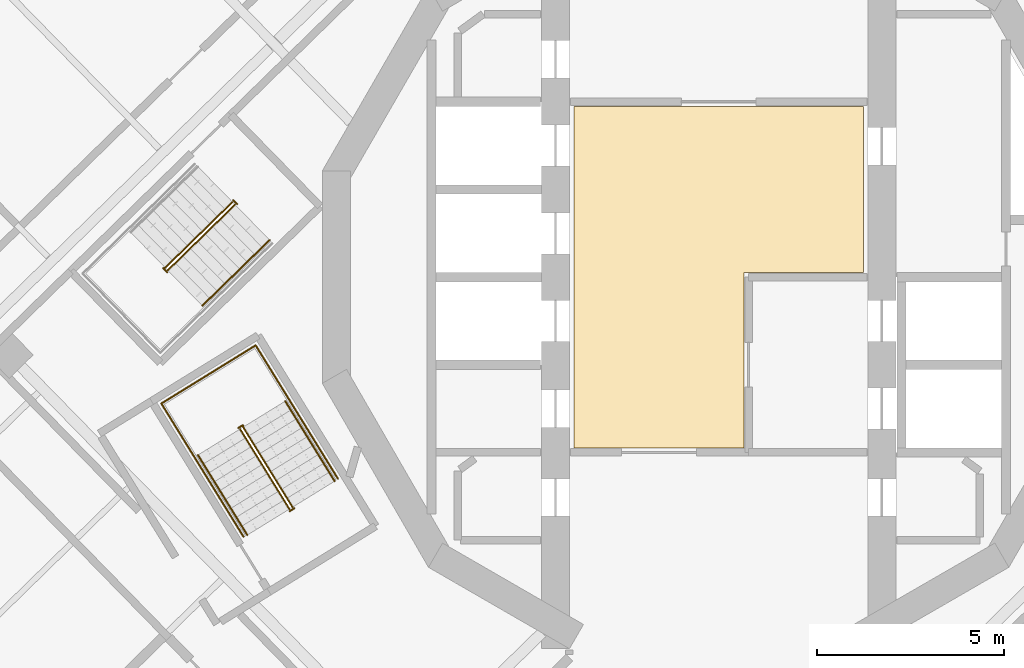
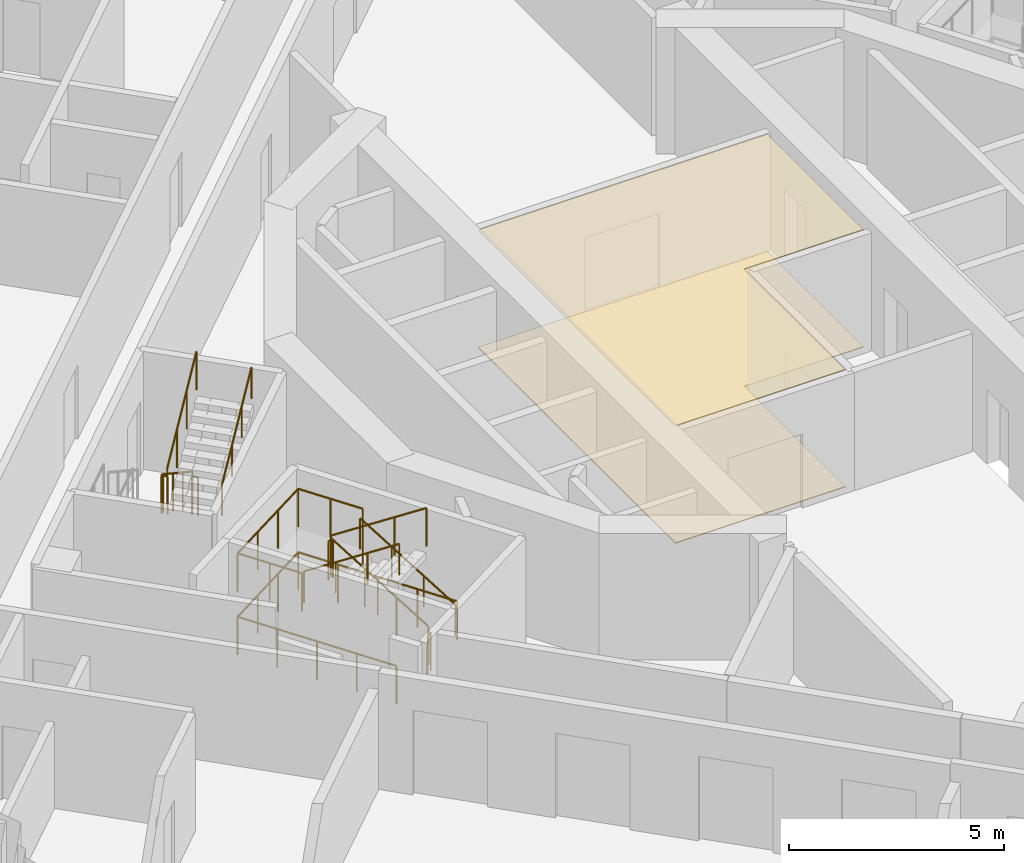
# One storey, part 13 of 17: 11 railings, 2 coverings.
"""IFC4 building model written with IfcOpenShell, lengths in metres."""

import ifcopenshell
import ifcopenshell.guid

model = None  # the IFC model being written
_history = None  # IfcOwnerHistory: only IFC2X3 demands one
_inside = {}  # id of a spatial element -> (the spatial element, [elements in it])
_under = {}  # id of a project, library or spatial element -> (it, [spatial elements below it])
_declared = {}  # id of a project -> (the project, [libraries it declares])
_typed = {}  # id of a type object -> (the type object, [elements of that type])
_made_of = {}  # id of a material, layer set ... -> (it, [elements and type objects made of it])


def new_model(schema):
    """Start an empty IFC model of exactly this schema.

    Asked for "IFC4X3", IfcOpenShell would pick the latest addendum, in which some entities
    have other attributes; the version numbers below select the first issue.
    IFC2X3 requires an IfcOwnerHistory on every rooted entity: one is made here for all.
    """
    global model, _history
    if schema == "IFC4X3":
        model = ifcopenshell.file(schema_version=(4, 3, 0, 0))
    else:
        model = ifcopenshell.file(schema=schema)
    _inside.clear()
    _under.clear()
    _declared.clear()
    _typed.clear()
    _made_of.clear()
    _history = None
    if model.schema == "IFC2X3":
        org = make("IfcOrganization", Name="unknown")
        user = make(
            "IfcPersonAndOrganization",
            ThePerson=make("IfcPerson", FamilyName="unknown"),
            TheOrganization=org,
        )
        app = make(
            "IfcApplication",
            ApplicationDeveloper=org,
            Version="unknown",
            ApplicationFullName="unknown",
            ApplicationIdentifier="unknown",
        )
        _history = make(
            "IfcOwnerHistory",
            OwningUser=user,
            OwningApplication=app,
            ChangeAction="ADDED",
            CreationDate=0,
        )
    return model


def make(cls, **values):
    """One entity of the class cls with the attributes given. An attribute that is None is left unset."""
    return model.create_entity(
        cls, **{name: value for name, value in values.items() if value is not None}
    )


def rooted(cls, **values):
    """An entity with a GlobalId (a new one), such as an element, a storey or a relation."""
    return make(cls, GlobalId=ifcopenshell.guid.new(), OwnerHistory=_history, **values)


def si_unit(unit_type, name, prefix=None):
    """IfcSIUnit, for example si_unit("LENGTHUNIT", "METRE", prefix="MILLI")."""
    return make("IfcSIUnit", UnitType=unit_type, Prefix=prefix, Name=name)


def assignment(units):
    """IfcUnitAssignment: the units of a project."""
    return None if units is None else make("IfcUnitAssignment", Units=units)


def point(xyz):
    """IfcCartesianPoint."""
    return None if xyz is None else make("IfcCartesianPoint", Coordinates=xyz)


def direction(xyz):
    """IfcDirection."""
    return None if xyz is None else make("IfcDirection", DirectionRatios=xyz)


def frame(location, z_axis=None, x_axis=None):
    """IfcAxis2Placement3D, a coordinate frame: its origin and axes. An axis left out is left unset."""
    return make(
        "IfcAxis2Placement3D",
        Location=point(location),
        Axis=direction(z_axis),
        RefDirection=direction(x_axis),
    )


def frame_2d(location, x_axis=None):
    """IfcAxis2Placement2D, a coordinate frame in the plane: its origin and x axis."""
    return make(
        "IfcAxis2Placement2D", Location=point(location), RefDirection=direction(x_axis)
    )


def origin():
    """The frame at (0, 0, 0) with its axes left unset."""
    return frame((0.0, 0.0, 0.0))


def origin_2d():
    """The frame at (0, 0) in the plane with its x axis left unset."""
    return frame_2d((0.0, 0.0))


def place(relative_to, where):
    """IfcLocalPlacement: puts the frame where relative to a parent placement (None: the world)."""
    return make(
        "IfcLocalPlacement", PlacementRelTo=relative_to, RelativePlacement=where
    )


def context(
    kind, dimensions, precision=None, world=None, true_north=None, identifier=None
):
    """IfcGeometricRepresentationContext, for example the 3D "Model" context."""
    return make(
        "IfcGeometricRepresentationContext",
        ContextIdentifier=identifier,
        ContextType=kind,
        CoordinateSpaceDimension=dimensions,
        Precision=precision,
        WorldCoordinateSystem=world,
        TrueNorth=true_north,
    )


def subcontext(parent, identifier, kind, view, scale=None):
    """IfcGeometricRepresentationSubContext, for example "Body" below "Model"."""
    return make(
        "IfcGeometricRepresentationSubContext",
        ContextIdentifier=identifier,
        ContextType=kind,
        ParentContext=parent,
        TargetScale=scale,
        TargetView=view,
    )


def project(units=None, contexts=None):
    """IfcProject with its units and contexts."""
    return rooted(
        "IfcProject",
        Name="project",
        RepresentationContexts=contexts,
        UnitsInContext=assignment(units),
    )


def spatial(cls, under=None, at=None, **own):
    """A site, building, storey or space (cls), placed at a placement, below another one or the project."""
    s = rooted(cls, ObjectPlacement=at, **own)
    if under is not None:
        _under.setdefault(under.id(), (under, []))[1].append(s)
    return s


def polyline(points):
    """IfcPolyline through the points."""
    return make("IfcPolyline", Points=[point(p) for p in points])


def profile(cls, at=None, kind="AREA", **sizes):
    """A parametric profile (cls). Its sizes go by their IFC names, for example OverallWidth=200.0."""
    return make(cls, ProfileType=kind, Position=at, **sizes)


def circle(**sizes):
    """IfcCircleProfileDef."""
    return profile("IfcCircleProfileDef", **sizes)


def outline(outer, holes=None, kind="AREA"):
    """IfcArbitraryClosedProfileDef: a profile drawn as a closed curve; with holes, ...WithVoids."""
    if holes is None:
        return make("IfcArbitraryClosedProfileDef", ProfileType=kind, OuterCurve=outer)
    return make(
        "IfcArbitraryProfileDefWithVoids",
        ProfileType=kind,
        OuterCurve=outer,
        InnerCurves=holes,
    )


def extrude(swept, where, along, depth):
    """IfcExtrudedAreaSolid: the profile swept, set in the frame where, extruded along a direction by depth."""
    return make(
        "IfcExtrudedAreaSolid",
        SweptArea=swept,
        Position=where,
        ExtrudedDirection=direction(along),
        Depth=depth,
    )


def shape(context_of_items, identifier, shape_type, items):
    """IfcShapeRepresentation: the items that make up one representation, for example the "Body"."""
    return make(
        "IfcShapeRepresentation",
        ContextOfItems=context_of_items,
        RepresentationIdentifier=identifier,
        RepresentationType=shape_type,
        Items=items,
    )


def material(Name=None, Category=None):
    """IfcMaterial."""
    return make("IfcMaterial", Name=Name, Category=Category)


def layer(
    of_material, thickness, ventilated=None, Name=None, Category=None, Priority=None
):
    """IfcMaterialLayer: one layer of a wall or slab, of a material (None: an air gap)."""
    return make(
        "IfcMaterialLayer",
        Material=of_material,
        LayerThickness=thickness,
        IsVentilated=ventilated,
        Name=Name,
        Category=Category,
        Priority=Priority,
    )


def layer_set(layers, Name=None):
    """IfcMaterialLayerSet."""
    return make("IfcMaterialLayerSet", MaterialLayers=layers, LayerSetName=Name)


def made_of(thing, what):
    """Note that an element or type object is made of a material, layer set ...; save() writes the relation."""
    if what is not None:
        _made_of.setdefault(what.id(), (what, []))[1].append(thing)
    return thing


def type_object(cls, material=None, **own):
    """A type object (cls), such as IfcWallType, which elements share."""
    return made_of(rooted(cls, **own), material)


def element(
    cls,
    number,
    at=None,
    inside=None,
    cuts=None,
    type_object=None,
    material=None,
    context=None,
    identifier="Body",
    shape_type=None,
    held_by="IfcProductDefinitionShape",
    body=None,
    shapes=None,
    **own,
):
    """One element of the class cls, such as IfcWall. Its Tag is "e" and its number.

    at: its placement. inside: the storey or other place that contains it. cuts: it is an
    opening in that element (IfcRelVoidsElement). A single representation is given by context,
    identifier, shape_type and body (its items); several are given by shapes. held_by: the class
    of the entity that holds the representations. save() writes the other relations.
    """
    e = rooted(cls, Tag="e%d" % number, ObjectPlacement=at, **own)
    if body is not None:
        shapes = [shape(context, identifier, shape_type, body)]
    if shapes is not None:
        e.Representation = make(held_by, Representations=shapes)
    if inside is not None:
        _inside.setdefault(inside.id(), (inside, []))[1].append(e)
    if cuts is not None:
        rooted(
            "IfcRelVoidsElement", RelatingBuildingElement=cuts, RelatedOpeningElement=e
        )
    if type_object is not None:
        _typed.setdefault(type_object.id(), (type_object, []))[1].append(e)
    return made_of(e, material)


def aggregate(whole, parts):
    """IfcRelAggregates: a whole, such as a stair, and the parts it consists of."""
    return rooted("IfcRelAggregates", RelatingObject=whole, RelatedObjects=parts)


def save(model, path):
    """Write the relations noted so far, then the file.

    IfcRelAggregates (storeys below a building ...), IfcRelContainedInSpatialStructure (elements
    in a storey), IfcRelDefinesByType, IfcRelAssociatesMaterial and IfcRelDeclares: one each for
    every whole, place, type object, material and project.
    """
    for whole, parts in _under.values():
        aggregate(whole, parts)
    for where, things in _inside.values():
        rooted(
            "IfcRelContainedInSpatialStructure",
            RelatedElements=things,
            RelatingStructure=where,
        )
    for kind, things in _typed.values():
        rooted("IfcRelDefinesByType", RelatedObjects=things, RelatingType=kind)
    for what, things in _made_of.values():
        rooted("IfcRelAssociatesMaterial", RelatedObjects=things, RelatingMaterial=what)
    for by, libraries in _declared.values():
        rooted("IfcRelDeclares", RelatingContext=by, RelatedDefinitions=libraries)
    model.write(path)


model = new_model("IFC4")

# Units and contexts
model_context = context("Model", 3, precision=1e-05, world=origin(), true_north=direction((0.0, 1.0)))
body_context = subcontext(model_context, "Body", "Model", "MODEL_VIEW")
ifc_project = project(units=[si_unit("LENGTHUNIT", "METRE"), si_unit("AREAUNIT", "SQUARE_METRE"), si_unit("VOLUMEUNIT", "CUBIC_METRE"), si_unit("PLANEANGLEUNIT", "RADIAN"), si_unit("MASSUNIT", "GRAM", prefix="KILO")], contexts=[model_context])

# Site, building, storey
site_placement = place(None, origin())
site = spatial("IfcSite", under=ifc_project, at=site_placement, CompositionType="ELEMENT")
building_placement = place(site_placement, origin())
building = spatial("IfcBuilding", under=site, at=building_placement, Name="Cantera Rosa Tower", CompositionType="ELEMENT")
storey_placement = place(building_placement, frame((0.0, 0.0, 237.800048828125)))
storey = spatial("IfcBuildingStorey", under=building, at=storey_placement, Name="L52", CompositionType="ELEMENT", Elevation=237.800048828125)

# Railings
ifc_material_1 = material(Name="Steel S355J2 (EN 10025-2)", Category="steel")
railing_type_1 = type_object("IfcRailingType", Name="STAIR GUARD 1100", PredefinedType="GUARDRAIL", material=ifc_material_1)
railing_1_placement = place(storey_placement, frame((-13.032958984375, 2.013427734375, 0.179931640625)))
element("IfcRailing", 1, at=railing_1_placement, inside=storey, type_object=railing_type_1, Name="L52 ST-43 stair guard 1", PredefinedType="GUARDRAIL", context=body_context, shape_type="SweptSolid", body=[
    extrude(circle(Radius=0.02392578125, at=origin_2d()), frame((0.0, 0.0, 1.076171875), z_axis=(-0.601672219931, -0.587818193466, 0.54079599776), x_axis=(0.698823692472, -0.715293958342, 0.0)), (0.0, 0.0, 1.0), 2.995849609375),
    extrude(circle(Radius=0.02392578125, at=origin_2d()), frame((-1.802490234375, -1.760986328125, 2.6962890625), z_axis=(-0.956987977523, -0.290127576896, 0.0), x_axis=(0.290127576896, -0.956987977523, 0.0)), (0.0, 0.0, 1.0), 0.056396484375),
    extrude(circle(Radius=0.02392578125, at=origin_2d()), frame((-1.8564453125, -1.77734375, 2.6962890625), z_axis=(0.698932947801, -0.715187202401, 0.0), x_axis=(0.715187202401, 0.698932947801, 0.0)), (0.0, 0.0, 1.0), 0.150146484375),
    extrude(circle(Radius=0.02099609375, at=origin_2d()), origin(), (0.0, 0.0, 1.0), 1.052001953125),
    extrude(circle(Radius=0.02099609375, at=origin_2d()), frame((-0.600830078125, -0.5869140625, 0.5400390625)), (0.0, 0.0, 1.0), 1.052001953125),
    extrude(circle(Radius=0.02099609375, at=origin_2d()), frame((-1.20166015625, -1.174072265625, 1.080078125)), (0.0, 0.0, 1.0), 1.052001953125),
    extrude(circle(Radius=0.02099609375, at=origin_2d()), frame((-1.802490234375, -1.760986328125, 1.6201171875)), (0.0, 0.0, 1.0), 1.052001953125),
    extrude(circle(Radius=0.02099609375, at=origin_2d()), frame((-1.8564453125, -1.77734375, 1.6201171875)), (0.0, 0.0, 1.0), 1.052001953125),
    extrude(circle(Radius=0.02099609375, at=origin_2d()), frame((-1.75146484375, -1.884765625, 1.6201171875)), (0.0, 0.0, 1.0), 1.052001953125),
])
railing_2_placement = place(storey_placement, frame((-14.766845703125, 0.182373046875, 1.97998046875)))
element("IfcRailing", 2, at=railing_2_placement, inside=storey, type_object=railing_type_1, Name="L52 ST-43 stair guard 2", PredefinedType="GUARDRAIL", context=body_context, shape_type="SweptSolid", body=[
    extrude(circle(Radius=0.02392578125, at=origin_2d()), frame((0.0, 0.0, 1.076171875), z_axis=(0.60169873645, 0.587844099419, 0.540738333515), x_axis=(-0.698823692472, 0.715293958342, 0.0)), (0.0, 0.0, 1.0), 2.99560546875),
    extrude(circle(Radius=0.02099609375, at=origin_2d()), origin(), (0.0, 0.0, 1.0), 1.052001953125),
    extrude(circle(Radius=0.02099609375, at=origin_2d()), frame((0.600830078125, 0.5869140625, 0.5400390625)), (0.0, 0.0, 1.0), 1.052001953125),
    extrude(circle(Radius=0.02099609375, at=origin_2d()), frame((1.20166015625, 1.174072265625, 1.079833984375)), (0.0, 0.0, 1.0), 1.052001953125),
    extrude(circle(Radius=0.02099609375, at=origin_2d()), frame((1.802490234375, 1.760986328125, 1.619873046875)), (0.0, 0.0, 1.0), 1.052001953125),
])
railing_3_placement = place(storey_placement, frame((-13.01513671875, 2.06689453125, 0.0)))
element("IfcRailing", 3, at=railing_3_placement, inside=storey, type_object=railing_type_1, Name="L52 ST-43 stair guard 3", PredefinedType="GUARDRAIL", context=body_context, shape_type="SweptSolid", body=[
    extrude(circle(Radius=0.02392578125, at=origin_2d()), frame((0.0, 0.0, 1.076171875), z_axis=(0.698914008722, -0.715205710557, 0.0), x_axis=(0.715205710557, 0.698914008722, 0.0)), (0.0, 0.0, 1.0), 0.14990234375),
    extrude(circle(Radius=0.02099609375, at=origin_2d()), origin(), (0.0, 0.0, 1.0), 1.052001953125),
    extrude(circle(Radius=0.02099609375, at=origin_2d()), frame((0.104736328125, -0.107177734375, 0.0)), (0.0, 0.0, 1.0), 1.052001953125),
])
railing_4_placement = place(storey_placement, frame((-11.42333984375, -6.165771484375, 0.179931640625)))
element("IfcRailing", 4, at=railing_4_placement, inside=storey, type_object=railing_type_1, Name="L52 ST-44 stair guard 1", PredefinedType="GUARDRAIL", context=body_context, shape_type="SweptSolid", body=[
    extrude(circle(Radius=0.02392578125, at=origin_2d()), frame((0.0, 0.0, 1.076171875), z_axis=(-0.441609067481, 0.715913574058, 0.540785711718), x_axis=(-0.851102330005, -0.524999832248, 0.0)), (0.0, 0.0, 1.0), 2.995849609375),
    extrude(circle(Radius=0.02392578125, at=origin_2d()), frame((-1.322998046875, 2.144775390625, 2.6962890625), z_axis=(-0.073711968402, 0.997279572494, 0.0), x_axis=(-0.997279572494, -0.073711968402, 0.0)), (0.0, 0.0, 1.0), 0.056396484375),
    extrude(circle(Radius=0.02392578125, at=origin_2d()), frame((-1.3271484375, 2.200927734375, 2.6962890625), z_axis=(-0.851546489876, -0.524279100842, 0.0), x_axis=(0.524279100842, -0.851546489876, 0.0)), (0.0, 0.0, 1.0), 0.14990234375),
    extrude(circle(Radius=0.02099609375, at=origin_2d()), origin(), (0.0, 0.0, 1.0), 1.052001953125),
    extrude(circle(Radius=0.02099609375, at=origin_2d()), frame((-0.44091796875, 0.71484375, 0.5400390625)), (0.0, 0.0, 1.0), 1.052001953125),
    extrude(circle(Radius=0.02099609375, at=origin_2d()), frame((-0.882080078125, 1.429931640625, 1.080078125)), (0.0, 0.0, 1.0), 1.052001953125),
    extrude(circle(Radius=0.02099609375, at=origin_2d()), frame((-1.322998046875, 2.144775390625, 1.6201171875)), (0.0, 0.0, 1.0), 1.052001953125),
    extrude(circle(Radius=0.02099609375, at=origin_2d()), frame((-1.3271484375, 2.200927734375, 1.6201171875)), (0.0, 0.0, 1.0), 1.052001953125),
    extrude(circle(Radius=0.02099609375, at=origin_2d()), frame((-1.454833984375, 2.122314453125, 1.6201171875)), (0.0, 0.0, 1.0), 1.052001953125),
])
railing_5_placement = place(storey_placement, frame((-12.82958984375, -4.072509765625, 1.97998046875)))
element("IfcRailing", 5, at=railing_5_placement, inside=storey, type_object=railing_type_1, Name="L52 ST-44 stair guard 2", PredefinedType="GUARDRAIL", context=body_context, shape_type="SweptSolid", body=[
    extrude(circle(Radius=0.02392578125, at=origin_2d()), frame((0.0, 0.0, 1.076171875), z_axis=(0.441562923896, -0.715970890813, 0.540747508315), x_axis=(0.851145618652, 0.524929648476, 0.0)), (0.0, 0.0, 1.0), 2.99560546875),
    extrude(circle(Radius=0.02099609375, at=origin_2d()), origin(), (0.0, 0.0, 1.0), 1.052001953125),
    extrude(circle(Radius=0.02099609375, at=origin_2d()), frame((0.44091796875, -0.71484375, 0.5400390625)), (0.0, 0.0, 1.0), 1.052001953125),
    extrude(circle(Radius=0.02099609375, at=origin_2d()), frame((0.8818359375, -1.429931640625, 1.079833984375)), (0.0, 0.0, 1.0), 1.052001953125),
    extrude(circle(Radius=0.02099609375, at=origin_2d()), frame((1.32275390625, -2.144775390625, 1.619873046875)), (0.0, 0.0, 1.0), 1.052001953125),
])
railing_6_placement = place(storey_placement, frame((-11.375, -6.19482421875, 0.0)))
element("IfcRailing", 6, at=railing_6_placement, inside=storey, type_object=railing_type_1, Name="L52 ST-44 stair guard 3", PredefinedType="GUARDRAIL", context=body_context, shape_type="SweptSolid", body=[
    extrude(circle(Radius=0.02392578125, at=origin_2d()), frame((0.0, 0.0, 1.076171875), z_axis=(-0.851546489876, -0.524279100842, 0.0), x_axis=(0.524279100842, -0.851546489876, 0.0)), (0.0, 0.0, 1.0), 0.14990234375),
    extrude(circle(Radius=0.02099609375, at=origin_2d()), origin(), (0.0, 0.0, 1.0), 1.052001953125),
    extrude(circle(Radius=0.02099609375, at=origin_2d()), frame((-0.127685546875, -0.07861328125, 0.0)), (0.0, 0.0, 1.0), 1.052001953125),
])
railing_7_placement = place(storey_placement, frame((-10.20751953125, -5.40185546875, 0.0)))
element("IfcRailing", 7, at=railing_7_placement, inside=storey, type_object=railing_type_1, Name="L52 ST-44 stair guard 4", PredefinedType="GUARDRAIL", context=body_context, shape_type="SweptSolid", body=[
    extrude(circle(Radius=0.02392578125, at=origin_2d()), frame((0.0, 0.0, 1.076171875), z_axis=(-0.524976478809, 0.851116735059, 0.0), x_axis=(-0.851116735059, -0.524976478809, 0.0)), (0.0, 0.0, 1.0), 4.197998046875),
    extrude(circle(Radius=0.02392578125, at=origin_2d()), frame((-2.203857421875, 3.572998046875, 1.076171875), z_axis=(-0.851132917336, -0.524950242429, 0.0), x_axis=(0.524950242429, -0.851132917336, 0.0)), (0.0, 0.0, 1.0), 2.969970703125),
    extrude(circle(Radius=0.02392578125, at=origin_2d()), frame((-4.731689453125, 2.013916015625, 1.076171875), z_axis=(0.524976478809, -0.851116735059, 0.0), x_axis=(0.851116735059, 0.524976478809, 0.0)), (0.0, 0.0, 1.0), 4.197998046875),
    extrude(circle(Radius=0.02099609375, at=origin_2d()), origin(), (0.0, 0.0, 1.0), 1.052001953125),
    extrude(circle(Radius=0.02099609375, at=origin_2d()), frame((-0.551025390625, 0.893310546875, 0.0)), (0.0, 0.0, 1.0), 1.052001953125),
    extrude(circle(Radius=0.02099609375, at=origin_2d()), frame((-1.10205078125, 1.78662109375, 0.0)), (0.0, 0.0, 1.0), 1.052001953125),
    extrude(circle(Radius=0.02099609375, at=origin_2d()), frame((-1.65283203125, 2.6796875, 0.0)), (0.0, 0.0, 1.0), 1.052001953125),
    extrude(circle(Radius=0.02099609375, at=origin_2d()), frame((-2.203857421875, 3.572998046875, 0.0)), (0.0, 0.0, 1.0), 1.052001953125),
    extrude(circle(Radius=0.02099609375, at=origin_2d()), frame((-3.04638671875, 3.05322265625, 0.0)), (0.0, 0.0, 1.0), 1.052001953125),
    extrude(circle(Radius=0.02099609375, at=origin_2d()), frame((-3.88916015625, 2.53369140625, 0.0)), (0.0, 0.0, 1.0), 1.052001953125),
    extrude(circle(Radius=0.02099609375, at=origin_2d()), frame((-4.731689453125, 2.013916015625, 0.0)), (0.0, 0.0, 1.0), 1.052001953125),
    extrude(circle(Radius=0.02099609375, at=origin_2d()), frame((-4.1806640625, 1.12060546875, 0.0)), (0.0, 0.0, 1.0), 1.052001953125),
    extrude(circle(Radius=0.02099609375, at=origin_2d()), frame((-3.6298828125, 0.2275390625, 0.0)), (0.0, 0.0, 1.0), 1.052001953125),
    extrude(circle(Radius=0.02099609375, at=origin_2d()), frame((-3.078857421875, -0.665771484375, 0.0)), (0.0, 0.0, 1.0), 1.052001953125),
    extrude(circle(Radius=0.02099609375, at=origin_2d()), frame((-2.52783203125, -1.55908203125, 0.0)), (0.0, 0.0, 1.0), 1.052001953125),
])
railing_8_placement = place(storey_placement, frame((-11.517822265625, -3.27734375, 1.800048828125)))
element("IfcRailing", 8, at=railing_8_placement, inside=storey, type_object=railing_type_1, Name="L52 ST-44 stair guard 5", PredefinedType="GUARDRAIL", context=body_context, shape_type="SweptSolid", body=[
    extrude(circle(Radius=0.02392578125, at=origin_2d()), frame((0.0, 0.0, 1.076171875), z_axis=(-0.525025534833, 0.851086474909, 0.0), x_axis=(-0.851086474909, -0.525025534833, 0.0)), (0.0, 0.0, 1.0), 1.701904296875),
    extrude(circle(Radius=0.02392578125, at=origin_2d()), frame((-0.8935546875, 1.448486328125, 1.076171875), z_axis=(-0.851132917336, -0.524950242429, 0.0), x_axis=(0.524950242429, -0.851132917336, 0.0)), (0.0, 0.0, 1.0), 2.969970703125),
    extrude(circle(Radius=0.02392578125, at=origin_2d()), frame((-3.42138671875, -0.110595703125, 1.076171875), z_axis=(0.524961441845, -0.851126009811, 0.0), x_axis=(0.851126009811, 0.524961441845, 0.0)), (0.0, 0.0, 1.0), 1.7021484375),
    extrude(circle(Radius=0.02099609375, at=origin_2d()), origin(), (0.0, 0.0, 1.0), 1.052001953125),
    extrude(circle(Radius=0.02099609375, at=origin_2d()), frame((-0.44677734375, 0.72412109375, 0.0)), (0.0, 0.0, 1.0), 1.052001953125),
    extrude(circle(Radius=0.02099609375, at=origin_2d()), frame((-0.8935546875, 1.448486328125, 0.0)), (0.0, 0.0, 1.0), 1.052001953125),
    extrude(circle(Radius=0.02099609375, at=origin_2d()), frame((-1.736083984375, 0.9287109375, 0.0)), (0.0, 0.0, 1.0), 1.052001953125),
    extrude(circle(Radius=0.02099609375, at=origin_2d()), frame((-2.578857421875, 0.4091796875, 0.0)), (0.0, 0.0, 1.0), 1.052001953125),
    extrude(circle(Radius=0.02099609375, at=origin_2d()), frame((-3.42138671875, -0.110595703125, 0.0)), (0.0, 0.0, 1.0), 1.052001953125),
    extrude(circle(Radius=0.02099609375, at=origin_2d()), frame((-2.974609375, -0.8349609375, 0.0)), (0.0, 0.0, 1.0), 1.052001953125),
    extrude(circle(Radius=0.02099609375, at=origin_2d()), frame((-2.52783203125, -1.559326171875, 0.0)), (0.0, 0.0, 1.0), 1.052001953125),
])
ifc_material_2 = material(Name="Steel S355J2 (EN 10025-2)", Category="steel")
railing_type_2 = type_object("IfcRailingType", Name="STAIR HANDRAIL 900", PredefinedType="HANDRAIL", material=ifc_material_2)
railing_9_placement = place(storey_placement, frame((-13.84033203125, -0.76611328125, 1.97998046875)))
element("IfcRailing", 9, at=railing_9_placement, inside=storey, type_object=railing_type_2, Name="L52 ST-43 stair handrail 2", PredefinedType="HANDRAIL", context=body_context, shape_type="SweptSolid", body=[
    extrude(circle(Radius=0.02392578125, at=origin_2d()), frame((0.0, 0.0, 0.8759765625), z_axis=(0.601750724892, 0.587815273381, 0.540711817397), x_axis=(-0.698775265409, 0.715341267126, 0.0)), (0.0, 0.0, 1.0), 2.995849609375),
    extrude(circle(Radius=0.02099609375, at=origin_2d()), origin(), (0.0, 0.0, 1.0), 0.851806640625),
    extrude(circle(Radius=0.02099609375, at=origin_2d()), frame((0.600830078125, 0.5869140625, 0.5400390625)), (0.0, 0.0, 1.0), 0.851806640625),
    extrude(circle(Radius=0.02099609375, at=origin_2d()), frame((1.201904296875, 1.174072265625, 1.079833984375)), (0.0, 0.0, 1.0), 0.851806640625),
    extrude(circle(Radius=0.02099609375, at=origin_2d()), frame((1.802734375, 1.760986328125, 1.619873046875)), (0.0, 0.0, 1.0), 0.851806640625),
])
railing_10_placement = place(storey_placement, frame((-10.294677734375, -5.4697265625, 0.179931640625)))
element("IfcRailing", 10, at=railing_10_placement, inside=storey, type_object=railing_type_2, Name="L52 ST-44 stair handrail 1", PredefinedType="HANDRAIL", context=body_context, shape_type="SweptSolid", body=[
    extrude(circle(Radius=0.02392578125, at=origin_2d()), frame((0.0, 0.0, 0.8759765625), z_axis=(-0.441609067481, 0.715913574058, 0.540785711718), x_axis=(-0.851102330005, -0.524999832248, 0.0)), (0.0, 0.0, 1.0), 2.995849609375),
    extrude(circle(Radius=0.02099609375, at=origin_2d()), origin(), (0.0, 0.0, 1.0), 0.851806640625),
    extrude(circle(Radius=0.02099609375, at=origin_2d()), frame((-0.44091796875, 0.71484375, 0.5400390625)), (0.0, 0.0, 1.0), 0.851806640625),
    extrude(circle(Radius=0.02099609375, at=origin_2d()), frame((-0.882080078125, 1.429931640625, 1.080078125)), (0.0, 0.0, 1.0), 0.851806640625),
    extrude(circle(Radius=0.02099609375, at=origin_2d()), frame((-1.322998046875, 2.144775390625, 1.6201171875)), (0.0, 0.0, 1.0), 0.851806640625),
])
railing_11_placement = place(storey_placement, frame((-13.958251953125, -4.7685546875, 1.97998046875)))
element("IfcRailing", 11, at=railing_11_placement, inside=storey, type_object=railing_type_2, Name="L52 ST-44 stair handrail 2", PredefinedType="HANDRAIL", context=body_context, shape_type="SweptSolid", body=[
    extrude(circle(Radius=0.02392578125, at=origin_2d()), frame((0.0, 0.0, 0.8759765625), z_axis=(0.441628529057, -0.715945124149, 0.540728047664), x_axis=(0.851102330005, 0.524999832248, 0.0)), (0.0, 0.0, 1.0), 2.99560546875),
    extrude(circle(Radius=0.02099609375, at=origin_2d()), origin(), (0.0, 0.0, 1.0), 0.851806640625),
    extrude(circle(Radius=0.02099609375, at=origin_2d()), frame((0.44091796875, -0.71484375, 0.5400390625)), (0.0, 0.0, 1.0), 0.851806640625),
    extrude(circle(Radius=0.02099609375, at=origin_2d()), frame((0.882080078125, -1.429931640625, 1.079833984375)), (0.0, 0.0, 1.0), 0.851806640625),
    extrude(circle(Radius=0.02099609375, at=origin_2d()), frame((1.322998046875, -2.144775390625, 1.619873046875)), (0.0, 0.0, 1.0), 0.851806640625),
])

# Coverings
ifc_material_3 = material(Name="Limestone paving", Category="masonry")
ifc_layer_1 = layer(ifc_material_3, 0.02490234375)
ifc_layer_set_1 = layer_set([ifc_layer_1], Name="STONE FLOOR FINISH 25")
covering_type_1 = type_object("IfcCoveringType", Name="STONE FLOOR FINISH 25", PredefinedType="FLOORING", material=ifc_layer_set_1)
covering_1_placement = place(storey_placement, origin())
element("IfcCovering", 12, at=covering_1_placement, inside=storey, type_object=covering_type_1, Name="STONE FLOOR FINISH L52", PredefinedType="FLOORING", context=body_context, shape_type="SweptSolid", body=[
    extrude(outline(polyline([(3.8798828125, 4.580078125), (3.8798828125, 0.1201171875), (0.679931640625, 0.1201171875), (0.679931640625, -4.580078125), (-3.8798828125, -4.580078125), (-3.8798828125, 4.580078125), (3.8798828125, 4.580078125)])), origin(), (0.0, 0.0, 1.0), 0.02490234375),
])
ifc_material_4 = material(Name="Gypsum ceiling tile")
ifc_layer_2 = layer(ifc_material_4, 0.030029296875)
ifc_layer_set_2 = layer_set([ifc_layer_2], Name="SUSPENDED CEILING 30")
covering_type_2 = type_object("IfcCoveringType", Name="SUSPENDED CEILING 30", PredefinedType="CEILING", material=ifc_layer_set_2)
covering_2_placement = place(storey_placement, frame((0.0, 0.0, 3.320068359375)))
element("IfcCovering", 13, at=covering_2_placement, inside=storey, type_object=covering_type_2, Name="SUSPENDED CEILING L52", PredefinedType="CEILING", context=body_context, shape_type="SweptSolid", body=[
    extrude(outline(polyline([(3.8798828125, 4.580078125), (3.8798828125, 0.1201171875), (0.679931640625, 0.1201171875), (0.679931640625, -4.580078125), (-3.8798828125, -4.580078125), (-3.8798828125, 4.580078125), (3.8798828125, 4.580078125)])), origin(), (0.0, 0.0, 1.0), 0.02978515625),
])

save(model, "model.ifc")
